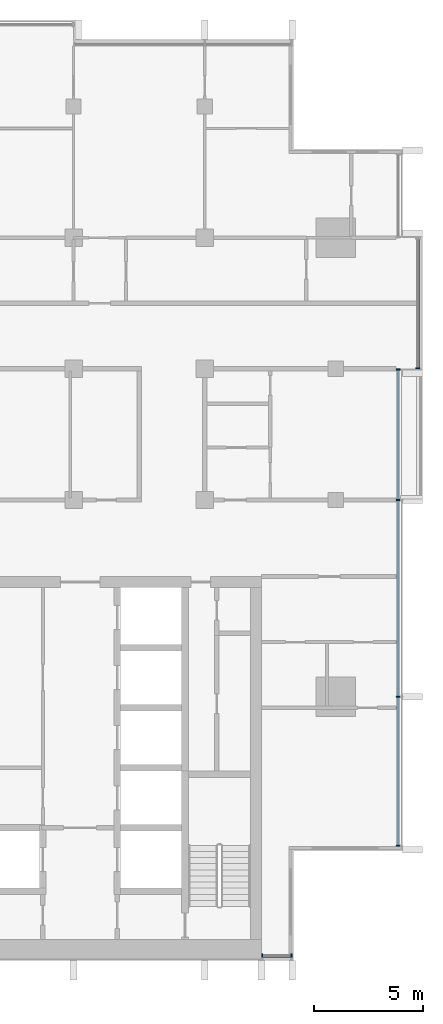
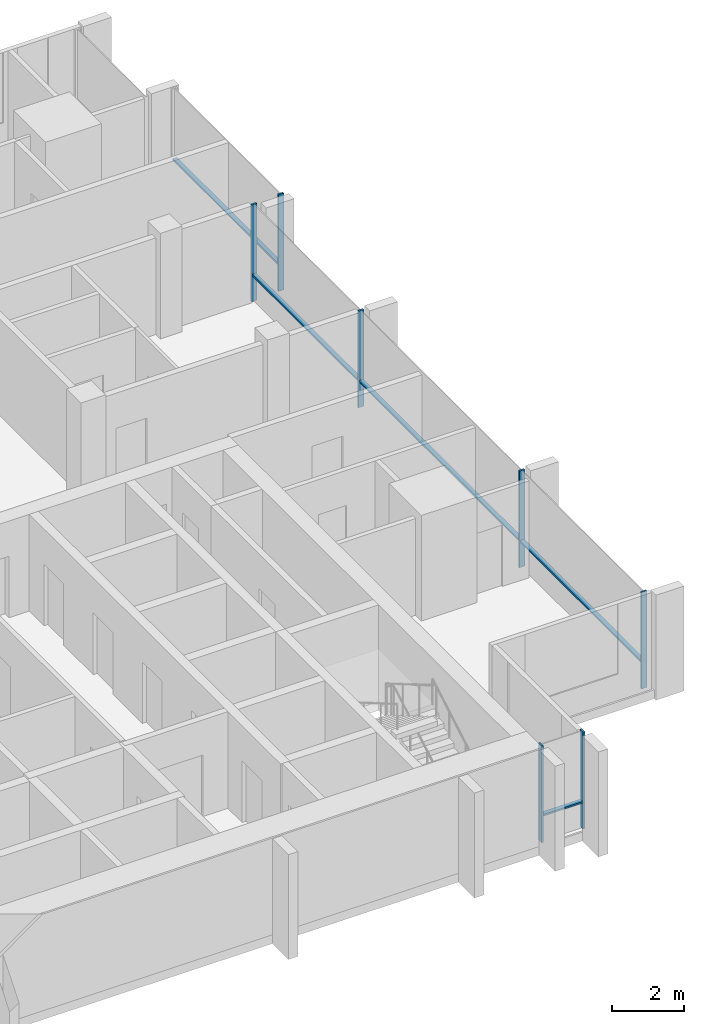
# One storey, part 3 of 16: 12 members, 3 elements without a shape of their own.
"""IFC4 building model written with IfcOpenShell, lengths in metres."""

import ifcopenshell
import ifcopenshell.guid

model = None  # the IFC model being written
_history = None  # IfcOwnerHistory: only IFC2X3 demands one
_inside = {}  # id of a spatial element -> (the spatial element, [elements in it])
_under = {}  # id of a project, library or spatial element -> (it, [spatial elements below it])
_declared = {}  # id of a project -> (the project, [libraries it declares])
_typed = {}  # id of a type object -> (the type object, [elements of that type])
_made_of = {}  # id of a material, layer set ... -> (it, [elements and type objects made of it])


def new_model(schema):
    """Start an empty IFC model of exactly this schema.

    Asked for "IFC4X3", IfcOpenShell would pick the latest addendum, in which some entities
    have other attributes; the version numbers below select the first issue.
    IFC2X3 requires an IfcOwnerHistory on every rooted entity: one is made here for all.
    """
    global model, _history
    if schema == "IFC4X3":
        model = ifcopenshell.file(schema_version=(4, 3, 0, 0))
    else:
        model = ifcopenshell.file(schema=schema)
    _inside.clear()
    _under.clear()
    _declared.clear()
    _typed.clear()
    _made_of.clear()
    _history = None
    if model.schema == "IFC2X3":
        org = make("IfcOrganization", Name="unknown")
        user = make(
            "IfcPersonAndOrganization",
            ThePerson=make("IfcPerson", FamilyName="unknown"),
            TheOrganization=org,
        )
        app = make(
            "IfcApplication",
            ApplicationDeveloper=org,
            Version="unknown",
            ApplicationFullName="unknown",
            ApplicationIdentifier="unknown",
        )
        _history = make(
            "IfcOwnerHistory",
            OwningUser=user,
            OwningApplication=app,
            ChangeAction="ADDED",
            CreationDate=0,
        )
    return model


def make(cls, **values):
    """One entity of the class cls with the attributes given. An attribute that is None is left unset."""
    return model.create_entity(
        cls, **{name: value for name, value in values.items() if value is not None}
    )


def rooted(cls, **values):
    """An entity with a GlobalId (a new one), such as an element, a storey or a relation."""
    return make(cls, GlobalId=ifcopenshell.guid.new(), OwnerHistory=_history, **values)


def si_unit(unit_type, name, prefix=None):
    """IfcSIUnit, for example si_unit("LENGTHUNIT", "METRE", prefix="MILLI")."""
    return make("IfcSIUnit", UnitType=unit_type, Prefix=prefix, Name=name)


def assignment(units):
    """IfcUnitAssignment: the units of a project."""
    return None if units is None else make("IfcUnitAssignment", Units=units)


def point(xyz):
    """IfcCartesianPoint."""
    return None if xyz is None else make("IfcCartesianPoint", Coordinates=xyz)


def direction(xyz):
    """IfcDirection."""
    return None if xyz is None else make("IfcDirection", DirectionRatios=xyz)


def frame(location, z_axis=None, x_axis=None):
    """IfcAxis2Placement3D, a coordinate frame: its origin and axes. An axis left out is left unset."""
    return make(
        "IfcAxis2Placement3D",
        Location=point(location),
        Axis=direction(z_axis),
        RefDirection=direction(x_axis),
    )


def frame_2d(location, x_axis=None):
    """IfcAxis2Placement2D, a coordinate frame in the plane: its origin and x axis."""
    return make(
        "IfcAxis2Placement2D", Location=point(location), RefDirection=direction(x_axis)
    )


def origin():
    """The frame at (0, 0, 0) with its axes left unset."""
    return frame((0.0, 0.0, 0.0))


def origin_2d():
    """The frame at (0, 0) in the plane with its x axis left unset."""
    return frame_2d((0.0, 0.0))


def place(relative_to, where):
    """IfcLocalPlacement: puts the frame where relative to a parent placement (None: the world)."""
    return make(
        "IfcLocalPlacement", PlacementRelTo=relative_to, RelativePlacement=where
    )


def context(
    kind, dimensions, precision=None, world=None, true_north=None, identifier=None
):
    """IfcGeometricRepresentationContext, for example the 3D "Model" context."""
    return make(
        "IfcGeometricRepresentationContext",
        ContextIdentifier=identifier,
        ContextType=kind,
        CoordinateSpaceDimension=dimensions,
        Precision=precision,
        WorldCoordinateSystem=world,
        TrueNorth=true_north,
    )


def subcontext(parent, identifier, kind, view, scale=None):
    """IfcGeometricRepresentationSubContext, for example "Body" below "Model"."""
    return make(
        "IfcGeometricRepresentationSubContext",
        ContextIdentifier=identifier,
        ContextType=kind,
        ParentContext=parent,
        TargetScale=scale,
        TargetView=view,
    )


def project(units=None, contexts=None):
    """IfcProject with its units and contexts."""
    return rooted(
        "IfcProject",
        Name="project",
        RepresentationContexts=contexts,
        UnitsInContext=assignment(units),
    )


def spatial(cls, under=None, at=None, **own):
    """A site, building, storey or space (cls), placed at a placement, below another one or the project."""
    s = rooted(cls, ObjectPlacement=at, **own)
    if under is not None:
        _under.setdefault(under.id(), (under, []))[1].append(s)
    return s


def profile(cls, at=None, kind="AREA", **sizes):
    """A parametric profile (cls). Its sizes go by their IFC names, for example OverallWidth=200.0."""
    return make(cls, ProfileType=kind, Position=at, **sizes)


def rectangle(**sizes):
    """IfcRectangleProfileDef."""
    return profile("IfcRectangleProfileDef", **sizes)


def extrude(swept, where, along, depth):
    """IfcExtrudedAreaSolid: the profile swept, set in the frame where, extruded along a direction by depth."""
    return make(
        "IfcExtrudedAreaSolid",
        SweptArea=swept,
        Position=where,
        ExtrudedDirection=direction(along),
        Depth=depth,
    )


def shape(context_of_items, identifier, shape_type, items):
    """IfcShapeRepresentation: the items that make up one representation, for example the "Body"."""
    return make(
        "IfcShapeRepresentation",
        ContextOfItems=context_of_items,
        RepresentationIdentifier=identifier,
        RepresentationType=shape_type,
        Items=items,
    )


def material(Name=None, Category=None):
    """IfcMaterial."""
    return make("IfcMaterial", Name=Name, Category=Category)


def material_profile(
    of_material, cross_section, Name=None, Category=None, Priority=None
):
    """IfcMaterialProfile: a cross section and its material."""
    return make(
        "IfcMaterialProfile",
        Name=Name,
        Material=of_material,
        Profile=cross_section,
        Priority=Priority,
        Category=Category,
    )


def profile_set(profiles, Name=None, composite=None):
    """IfcMaterialProfileSet."""
    return make(
        "IfcMaterialProfileSet",
        Name=Name,
        MaterialProfiles=profiles,
        CompositeProfile=composite,
    )


def made_of(thing, what):
    """Note that an element or type object is made of a material, layer set ...; save() writes the relation."""
    if what is not None:
        _made_of.setdefault(what.id(), (what, []))[1].append(thing)
    return thing


def type_object(cls, material=None, **own):
    """A type object (cls), such as IfcWallType, which elements share."""
    return made_of(rooted(cls, **own), material)


def element(
    cls,
    number,
    at=None,
    inside=None,
    cuts=None,
    type_object=None,
    material=None,
    context=None,
    identifier="Body",
    shape_type=None,
    held_by="IfcProductDefinitionShape",
    body=None,
    shapes=None,
    **own,
):
    """One element of the class cls, such as IfcWall. Its Tag is "e" and its number.

    at: its placement. inside: the storey or other place that contains it. cuts: it is an
    opening in that element (IfcRelVoidsElement). A single representation is given by context,
    identifier, shape_type and body (its items); several are given by shapes. held_by: the class
    of the entity that holds the representations. save() writes the other relations.
    """
    e = rooted(cls, Tag="e%d" % number, ObjectPlacement=at, **own)
    if body is not None:
        shapes = [shape(context, identifier, shape_type, body)]
    if shapes is not None:
        e.Representation = make(held_by, Representations=shapes)
    if inside is not None:
        _inside.setdefault(inside.id(), (inside, []))[1].append(e)
    if cuts is not None:
        rooted(
            "IfcRelVoidsElement", RelatingBuildingElement=cuts, RelatedOpeningElement=e
        )
    if type_object is not None:
        _typed.setdefault(type_object.id(), (type_object, []))[1].append(e)
    return made_of(e, material)


def aggregate(whole, parts):
    """IfcRelAggregates: a whole, such as a stair, and the parts it consists of."""
    return rooted("IfcRelAggregates", RelatingObject=whole, RelatedObjects=parts)


def save(model, path):
    """Write the relations noted so far, then the file.

    IfcRelAggregates (storeys below a building ...), IfcRelContainedInSpatialStructure (elements
    in a storey), IfcRelDefinesByType, IfcRelAssociatesMaterial and IfcRelDeclares: one each for
    every whole, place, type object, material and project.
    """
    for whole, parts in _under.values():
        aggregate(whole, parts)
    for where, things in _inside.values():
        rooted(
            "IfcRelContainedInSpatialStructure",
            RelatedElements=things,
            RelatingStructure=where,
        )
    for kind, things in _typed.values():
        rooted("IfcRelDefinesByType", RelatedObjects=things, RelatingType=kind)
    for what, things in _made_of.values():
        rooted("IfcRelAssociatesMaterial", RelatedObjects=things, RelatingMaterial=what)
    for by, libraries in _declared.values():
        rooted("IfcRelDeclares", RelatingContext=by, RelatedDefinitions=libraries)
    model.write(path)


model = new_model("IFC4")

# Units and contexts
model_context = context("Model", 3, precision=1e-05, world=origin(), true_north=direction((0.0, 1.0)))
body_context = subcontext(model_context, "Body", "Model", "MODEL_VIEW")
ifc_project = project(units=[si_unit("LENGTHUNIT", "METRE"), si_unit("AREAUNIT", "SQUARE_METRE"), si_unit("VOLUMEUNIT", "CUBIC_METRE"), si_unit("PLANEANGLEUNIT", "RADIAN"), si_unit("MASSUNIT", "GRAM", prefix="KILO")], contexts=[model_context])

# Site, building, storey
site_placement = place(None, origin())
site = spatial("IfcSite", under=ifc_project, at=site_placement, CompositionType="ELEMENT")
building_placement = place(site_placement, origin())
building = spatial("IfcBuilding", under=site, at=building_placement, Name="Finial Court Residences", CompositionType="ELEMENT")
storey_placement = place(building_placement, frame((0.0, 0.0, 287.89990234375)))
storey = spatial("IfcBuildingStorey", under=building, at=storey_placement, Name="L73", CompositionType="ELEMENT", Elevation=287.89990234375)

# Curtain wall, members
ifc_material = material(Name="Bronze anodised aluminium", Category="aluminium")
curtain_wall_type = type_object("IfcCurtainWallType", Name="Unitised curtain wall, upper zones", PredefinedType="NOTDEFINED", material=ifc_material)
curtain_wall_1_placement = place(storey_placement, origin())
curtain_wall_1 = element("IfcCurtainWall", 1, at=curtain_wall_1_placement, inside=storey, type_object=curtain_wall_type, Name="E-L73-CW-E4", PredefinedType="NOTDEFINED")
ifc_material_profile_1 = material_profile(ifc_material, rectangle(XDim=0.175048828125, YDim=0.06005859375, at=origin_2d()), Name="CW2 mullion 60 x 175")
ifc_profile_set_1 = profile_set([ifc_material_profile_1], Name="Bronze anodised aluminium")
member_type_1 = type_object("IfcMemberType", Name="CW2 mullion 60 x 175", PredefinedType="MULLION", material=ifc_profile_set_1)
member_1_placement = place(storey_placement, frame((19.35009765625, -20.320068359375, 0.0), z_axis=(0.0, 0.0, 1.0), x_axis=(-1.0, 0.0, 0.0)))
member_1 = element("IfcMember", 2, at=member_1_placement, type_object=member_type_1, Name="CW2 mullion 1", PredefinedType="MULLION", context=body_context, shape_type="SweptSolid", body=[
    extrude(rectangle(XDim=0.175048828125, YDim=0.06005859375, at=origin_2d()), origin(), (0.0, 0.0, 1.0), 3.300048828125),
])
member_2_placement = place(storey_placement, frame((19.35009765625, -13.5, 0.0), z_axis=(0.0, 0.0, 1.0), x_axis=(-1.0, 0.0, 0.0)))
member_2 = element("IfcMember", 3, at=member_2_placement, type_object=member_type_1, Name="CW2 mullion 2", PredefinedType="MULLION", context=body_context, shape_type="SweptSolid", body=[
    extrude(rectangle(XDim=0.175048828125, YDim=0.06005859375, at=origin_2d()), origin(), (0.0, 0.0, 1.0), 3.300048828125),
])
member_3_placement = place(storey_placement, frame((19.35009765625, -4.5, 0.0), z_axis=(0.0, 0.0, 1.0), x_axis=(-1.0, 0.0, 0.0)))
member_3 = element("IfcMember", 4, at=member_3_placement, type_object=member_type_1, Name="CW2 mullion 3", PredefinedType="MULLION", context=body_context, shape_type="SweptSolid", body=[
    extrude(rectangle(XDim=0.175048828125, YDim=0.06005859375, at=origin_2d()), origin(), (0.0, 0.0, 1.0), 3.300048828125),
])
member_4_placement = place(storey_placement, frame((19.35009765625, 1.469970703125, 0.0), z_axis=(0.0, 0.0, 1.0), x_axis=(-1.0, 0.0, 0.0)))
member_4 = element("IfcMember", 5, at=member_4_placement, type_object=member_type_1, Name="CW2 mullion 4", PredefinedType="MULLION", context=body_context, shape_type="SweptSolid", body=[
    extrude(rectangle(XDim=0.175048828125, YDim=0.06005859375, at=origin_2d()), origin(), (0.0, 0.0, 1.0), 3.300048828125),
])

# Curtain wall, member
curtain_wall_2_placement = place(storey_placement, origin())
curtain_wall_2 = element("IfcCurtainWall", 6, at=curtain_wall_2_placement, inside=storey, type_object=curtain_wall_type, Name="E-L73-CW-E5", PredefinedType="NOTDEFINED")
member_5_placement = place(storey_placement, frame((20.25, 1.530029296875, 0.0), z_axis=(0.0, 0.0, 1.0), x_axis=(-1.0, 0.0, 0.0)))
member_5 = element("IfcMember", 7, at=member_5_placement, type_object=member_type_1, Name="CW2 mullion 1", PredefinedType="MULLION", context=body_context, shape_type="SweptSolid", body=[
    extrude(rectangle(XDim=0.175048828125, YDim=0.06005859375, at=origin_2d()), origin(), (0.0, 0.0, 1.0), 3.300048828125),
])

# Curtain wall, members
curtain_wall_3_placement = place(storey_placement, origin())
curtain_wall_3 = element("IfcCurtainWall", 8, at=curtain_wall_3_placement, inside=storey, type_object=curtain_wall_type, Name="E-L73-CW-S8", PredefinedType="NOTDEFINED")
member_6_placement = place(storey_placement, frame((13.1298828125, -25.35009765625, 0.0), z_axis=(0.0, 0.0, 1.0), x_axis=(0.0, 1.0, 0.0)))
member_6 = element("IfcMember", 9, at=member_6_placement, type_object=member_type_1, Name="CW2 mullion 1", PredefinedType="MULLION", context=body_context, shape_type="SweptSolid", body=[
    extrude(rectangle(XDim=0.175048828125, YDim=0.06005859375, at=origin_2d()), origin(), (0.0, 0.0, 1.0), 3.300048828125),
])
member_7_placement = place(storey_placement, frame((14.469970703125, -25.35009765625, 0.0), z_axis=(0.0, 0.0, 1.0), x_axis=(0.0, 1.0, 0.0)))
member_7 = element("IfcMember", 10, at=member_7_placement, type_object=member_type_1, Name="CW2 mullion 2", PredefinedType="MULLION", context=body_context, shape_type="SweptSolid", body=[
    extrude(rectangle(XDim=0.175048828125, YDim=0.06005859375, at=origin_2d()), origin(), (0.0, 0.0, 1.0), 3.300048828125),
])

# Member
ifc_material_profile_2 = material_profile(ifc_material, rectangle(XDim=0.139892578125, YDim=0.06005859375, at=origin_2d()), Name="CW2 transom 60 x 140")
ifc_profile_set_2 = profile_set([ifc_material_profile_2], Name="Bronze anodised aluminium")
member_type_2 = type_object("IfcMemberType", Name="CW2 transom 60 x 140", PredefinedType="USERDEFINED", material=ifc_profile_set_2)
member_8_placement = place(storey_placement, frame((19.35009765625, -20.2900390625, 0.900146484375), z_axis=(0.0, 1.0, 0.0), x_axis=(-1.0, 0.0, 0.0)))
member_8 = element("IfcMember", 11, at=member_8_placement, type_object=member_type_2, Name="CW2 transom 1.1", ObjectType="TRANSOM", PredefinedType="USERDEFINED", context=body_context, shape_type="SweptSolid", body=[
    extrude(rectangle(XDim=0.139892578125, YDim=0.06005859375, at=origin_2d()), origin(), (0.0, 0.0, 1.0), 6.760009765625),
])

member_9_placement = place(storey_placement, frame((19.35009765625, -13.469970703125, 0.900146484375), z_axis=(0.0, 1.0, 0.0), x_axis=(-1.0, 0.0, 0.0)))
member_9 = element("IfcMember", 12, at=member_9_placement, type_object=member_type_2, Name="CW2 transom 2.1", ObjectType="TRANSOM", PredefinedType="USERDEFINED", context=body_context, shape_type="SweptSolid", body=[
    extrude(rectangle(XDim=0.139892578125, YDim=0.06005859375, at=origin_2d()), origin(), (0.0, 0.0, 1.0), 8.93994140625),
])

member_10_placement = place(storey_placement, frame((19.35009765625, -4.469970703125, 0.900146484375), z_axis=(0.0, 1.0, 0.0), x_axis=(-1.0, 0.0, 0.0)))
member_10 = element("IfcMember", 13, at=member_10_placement, type_object=member_type_2, Name="CW2 transom 3.1", ObjectType="TRANSOM", PredefinedType="USERDEFINED", context=body_context, shape_type="SweptSolid", body=[
    extrude(rectangle(XDim=0.139892578125, YDim=0.06005859375, at=origin_2d()), origin(), (0.0, 0.0, 1.0), 5.909912109375),
])

aggregate(curtain_wall_1, [member_1, member_2, member_3, member_4, member_8, member_9, member_10])

member_11_placement = place(storey_placement, frame((20.25, 1.56005859375, 0.900146484375), z_axis=(0.0, 1.0, 0.0), x_axis=(-1.0, 0.0, 0.0)))
member_11 = element("IfcMember", 14, at=member_11_placement, type_object=member_type_2, Name="CW2 transom 1.1", ObjectType="TRANSOM", PredefinedType="USERDEFINED", context=body_context, shape_type="SweptSolid", body=[
    extrude(rectangle(XDim=0.139892578125, YDim=0.06005859375, at=origin_2d()), origin(), (0.0, 0.0, 1.0), 5.8798828125),
])

aggregate(curtain_wall_2, [member_5, member_11])

member_12_placement = place(storey_placement, frame((13.159912109375, -25.35009765625, 0.900146484375), z_axis=(1.0, 0.0, 0.0), x_axis=(0.0, 1.0, 0.0)))
member_12 = element("IfcMember", 15, at=member_12_placement, type_object=member_type_2, Name="CW2 transom 1.1", ObjectType="TRANSOM", PredefinedType="USERDEFINED", context=body_context, shape_type="SweptSolid", body=[
    extrude(rectangle(XDim=0.139892578125, YDim=0.06005859375, at=origin_2d()), origin(), (0.0, 0.0, 1.0), 1.280029296875),
])

aggregate(curtain_wall_3, [member_6, member_7, member_12])

save(model, "model.ifc")
